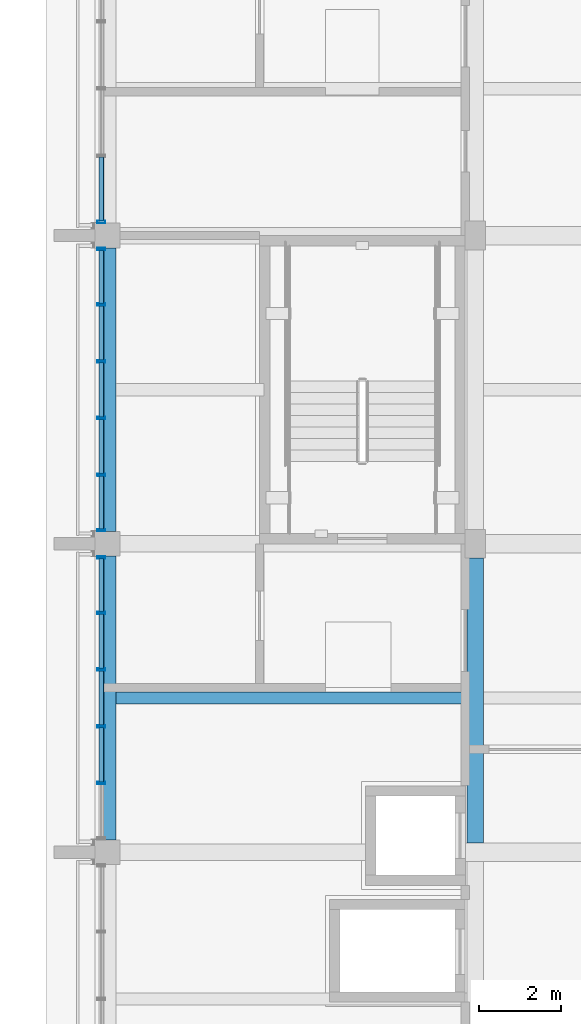
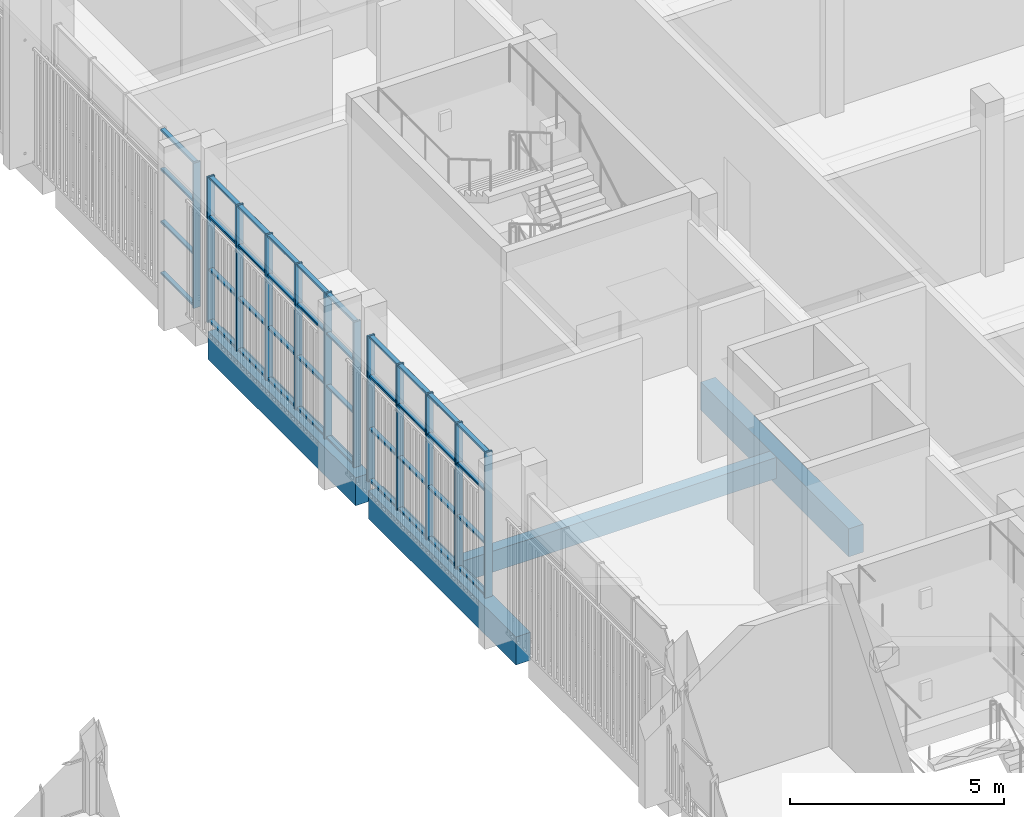
# One storey, part 43 of 125: 52 members, 4 beams, 3 elements without a shape of their own.
"""IFC4 building model written with IfcOpenShell, lengths in metres."""

from ifc_helpers import new_model, si_unit, direction, frame, origin, origin_2d, place, context, subcontext, project, spatial, rectangle, hollow_rectangle, extrude, material, material_profile, profile_set, type_object, element, aggregate, save


model = new_model("IFC4")

# Units and contexts
model_context = context("Model", 3, precision=1e-05, world=origin(), true_north=direction((0.0, 1.0)))
body_context = subcontext(model_context, "Body", "Model", "MODEL_VIEW")
ifc_project = project(units=[si_unit("LENGTHUNIT", "METRE"), si_unit("AREAUNIT", "SQUARE_METRE"), si_unit("VOLUMEUNIT", "CUBIC_METRE"), si_unit("PLANEANGLEUNIT", "RADIAN"), si_unit("MASSUNIT", "GRAM", prefix="KILO")], contexts=[model_context])

# Site, building, storey
site_placement = place(None, origin())
site = spatial("IfcSite", under=ifc_project, at=site_placement, CompositionType="ELEMENT")
building_placement = place(site_placement, origin())
building = spatial("IfcBuilding", under=site, at=building_placement, Name="Sun Court Science Centre", CompositionType="ELEMENT")
storey_placement = place(building_placement, frame((0.0, 0.0, 6.0)))
storey = spatial("IfcBuildingStorey", under=building, at=storey_placement, Name="L01", CompositionType="ELEMENT", Elevation=6.0)

# Curtain wall, members
ifc_material_1 = material(Name="Aluminium EN AW-6063 T6", Category="aluminium")
curtain_wall_type = type_object("IfcCurtainWallType", Name="Laboratory tall bay curtain wall 1500", PredefinedType="NOTDEFINED", material=ifc_material_1)
curtain_wall_1_placement = place(storey_placement, origin())
curtain_wall_1 = element("IfcCurtainWall", 1, at=curtain_wall_1_placement, inside=storey, type_object=curtain_wall_type, Name="Curtain wall V4 W L01 06", PredefinedType="NOTDEFINED")
ifc_material_2 = material(Name="Aluminium EN AW-6063 T6", Category="aluminium")
ifc_material_profile_1 = material_profile(ifc_material_2, hollow_rectangle(XDim=0.06005859375, YDim=0.199951171875, WallThickness=0.0048828125, InnerFilletRadius=0.0048828125, OuterFilletRadius=0.007568359375, at=origin_2d()), Name="AL 60x200x5")
ifc_profile_set_1 = profile_set([ifc_material_profile_1], Name="Aluminium EN AW-6063 T6")
member_type_1 = type_object("IfcMemberType", Name="Curtain wall mullion AL 60x200", PredefinedType="MULLION", material=ifc_profile_set_1)
member_1_placement = place(storey_placement, frame((78.14990234375, 52.679931640625, 0.0), z_axis=(0.0, 0.0, 1.0), x_axis=(0.0, 1.0, 0.0)))
member_1 = element("IfcMember", 2, at=member_1_placement, type_object=member_type_1, Name="CW2-15 mullion 2", PredefinedType="MULLION", context=body_context, shape_type="SweptSolid", body=[
    extrude(hollow_rectangle(XDim=0.06005859375, YDim=0.199951171875, WallThickness=0.0048828125, InnerFilletRadius=0.0048828125, OuterFilletRadius=0.007568359375, at=origin_2d()), origin(), (0.0, 0.0, 1.0), 4.14990234375),
])
member_2_placement = place(storey_placement, frame((78.14990234375, 54.06005859375, 0.0), z_axis=(0.0, 0.0, 1.0), x_axis=(0.0, 1.0, 0.0)))
member_2 = element("IfcMember", 3, at=member_2_placement, type_object=member_type_1, Name="CW2-15 mullion 3", PredefinedType="MULLION", context=body_context, shape_type="SweptSolid", body=[
    extrude(hollow_rectangle(XDim=0.06005859375, YDim=0.199951171875, WallThickness=0.0048828125, InnerFilletRadius=0.0048828125, OuterFilletRadius=0.007568359375, at=origin_2d()), origin(), (0.0, 0.0, 1.0), 4.14990234375),
])
member_3_placement = place(storey_placement, frame((78.14990234375, 55.43994140625, 0.0), z_axis=(0.0, 0.0, 1.0), x_axis=(0.0, 1.0, 0.0)))
member_3 = element("IfcMember", 4, at=member_3_placement, type_object=member_type_1, Name="CW2-15 mullion 4", PredefinedType="MULLION", context=body_context, shape_type="SweptSolid", body=[
    extrude(hollow_rectangle(XDim=0.06005859375, YDim=0.199951171875, WallThickness=0.0048828125, InnerFilletRadius=0.0048828125, OuterFilletRadius=0.007568359375, at=origin_2d()), origin(), (0.0, 0.0, 1.0), 4.14990234375),
])
member_4_placement = place(storey_placement, frame((78.14990234375, 56.820068359375, 0.0), z_axis=(0.0, 0.0, 1.0), x_axis=(0.0, 1.0, 0.0)))
member_4 = element("IfcMember", 5, at=member_4_placement, type_object=member_type_1, Name="CW2-15 mullion 5", PredefinedType="MULLION", context=body_context, shape_type="SweptSolid", body=[
    extrude(hollow_rectangle(XDim=0.06005859375, YDim=0.199951171875, WallThickness=0.0048828125, InnerFilletRadius=0.0048828125, OuterFilletRadius=0.007568359375, at=origin_2d()), origin(), (0.0, 0.0, 1.0), 4.14990234375),
])
member_5_placement = place(storey_placement, frame((78.14990234375, 58.169921875, 0.0), z_axis=(0.0, 0.0, 1.0), x_axis=(0.0, 1.0, 0.0)))
member_5 = element("IfcMember", 6, at=member_5_placement, type_object=member_type_1, Name="CW2-15 mullion 6", PredefinedType="MULLION", context=body_context, shape_type="SweptSolid", body=[
    extrude(hollow_rectangle(XDim=0.06005859375, YDim=0.199951171875, WallThickness=0.0048828125, InnerFilletRadius=0.0048828125, OuterFilletRadius=0.007568359375, at=origin_2d()), origin(), (0.0, 0.0, 1.0), 4.14990234375),
])

curtain_wall_2_placement = place(storey_placement, origin())
curtain_wall_2 = element("IfcCurtainWall", 7, at=curtain_wall_2_placement, inside=storey, type_object=curtain_wall_type, Name="Curtain wall V4 W L01 07", PredefinedType="NOTDEFINED")
member_6_placement = place(storey_placement, frame((78.14990234375, 58.830078125, 0.0), z_axis=(0.0, 0.0, 1.0), x_axis=(0.0, 1.0, 0.0)))
member_6 = element("IfcMember", 8, at=member_6_placement, type_object=member_type_1, Name="CW2-16 mullion 1", PredefinedType="MULLION", context=body_context, shape_type="SweptSolid", body=[
    extrude(hollow_rectangle(XDim=0.06005859375, YDim=0.199951171875, WallThickness=0.0048828125, InnerFilletRadius=0.0048828125, OuterFilletRadius=0.007568359375, at=origin_2d()), origin(), (0.0, 0.0, 1.0), 4.14990234375),
])
member_7_placement = place(storey_placement, frame((78.14990234375, 60.179931640625, 0.0), z_axis=(0.0, 0.0, 1.0), x_axis=(0.0, 1.0, 0.0)))
member_7 = element("IfcMember", 9, at=member_7_placement, type_object=member_type_1, Name="CW2-16 mullion 2", PredefinedType="MULLION", context=body_context, shape_type="SweptSolid", body=[
    extrude(hollow_rectangle(XDim=0.06005859375, YDim=0.199951171875, WallThickness=0.0048828125, InnerFilletRadius=0.0048828125, OuterFilletRadius=0.007568359375, at=origin_2d()), origin(), (0.0, 0.0, 1.0), 4.14990234375),
])
member_8_placement = place(storey_placement, frame((78.14990234375, 61.56005859375, 0.0), z_axis=(0.0, 0.0, 1.0), x_axis=(0.0, 1.0, 0.0)))
member_8 = element("IfcMember", 10, at=member_8_placement, type_object=member_type_1, Name="CW2-16 mullion 3", PredefinedType="MULLION", context=body_context, shape_type="SweptSolid", body=[
    extrude(hollow_rectangle(XDim=0.06005859375, YDim=0.199951171875, WallThickness=0.0048828125, InnerFilletRadius=0.0048828125, OuterFilletRadius=0.007568359375, at=origin_2d()), origin(), (0.0, 0.0, 1.0), 4.14990234375),
])
member_9_placement = place(storey_placement, frame((78.14990234375, 62.93994140625, 0.0), z_axis=(0.0, 0.0, 1.0), x_axis=(0.0, 1.0, 0.0)))
member_9 = element("IfcMember", 11, at=member_9_placement, type_object=member_type_1, Name="CW2-16 mullion 4", PredefinedType="MULLION", context=body_context, shape_type="SweptSolid", body=[
    extrude(hollow_rectangle(XDim=0.06005859375, YDim=0.199951171875, WallThickness=0.0048828125, InnerFilletRadius=0.0048828125, OuterFilletRadius=0.007568359375, at=origin_2d()), origin(), (0.0, 0.0, 1.0), 4.14990234375),
])
member_10_placement = place(storey_placement, frame((78.14990234375, 64.320068359375, 0.0), z_axis=(0.0, 0.0, 1.0), x_axis=(0.0, 1.0, 0.0)))
member_10 = element("IfcMember", 12, at=member_10_placement, type_object=member_type_1, Name="CW2-16 mullion 5", PredefinedType="MULLION", context=body_context, shape_type="SweptSolid", body=[
    extrude(hollow_rectangle(XDim=0.06005859375, YDim=0.199951171875, WallThickness=0.0048828125, InnerFilletRadius=0.0048828125, OuterFilletRadius=0.007568359375, at=origin_2d()), origin(), (0.0, 0.0, 1.0), 4.14990234375),
])
member_11_placement = place(storey_placement, frame((78.14990234375, 65.669921875, 0.0), z_axis=(0.0, 0.0, 1.0), x_axis=(0.0, 1.0, 0.0)))
member_11 = element("IfcMember", 13, at=member_11_placement, type_object=member_type_1, Name="CW2-16 mullion 6", PredefinedType="MULLION", context=body_context, shape_type="SweptSolid", body=[
    extrude(hollow_rectangle(XDim=0.06005859375, YDim=0.199951171875, WallThickness=0.0048828125, InnerFilletRadius=0.0048828125, OuterFilletRadius=0.007568359375, at=origin_2d()), origin(), (0.0, 0.0, 1.0), 4.14990234375),
])

# Curtain wall, member
curtain_wall_3_placement = place(storey_placement, origin())
curtain_wall_3 = element("IfcCurtainWall", 14, at=curtain_wall_3_placement, inside=storey, type_object=curtain_wall_type, Name="Curtain wall V4 W L01 08", PredefinedType="NOTDEFINED")
member_12_placement = place(storey_placement, frame((78.14990234375, 66.330078125, 0.0), z_axis=(0.0, 0.0, 1.0), x_axis=(0.0, 1.0, 0.0)))
member_12 = element("IfcMember", 15, at=member_12_placement, type_object=member_type_1, Name="CW2-17 mullion 1", PredefinedType="MULLION", context=body_context, shape_type="SweptSolid", body=[
    extrude(hollow_rectangle(XDim=0.06005859375, YDim=0.199951171875, WallThickness=0.0048828125, InnerFilletRadius=0.0048828125, OuterFilletRadius=0.007568359375, at=origin_2d()), origin(), (0.0, 0.0, 1.0), 4.14990234375),
])

# Member
ifc_material_3 = material(Name="Aluminium EN AW-6063 T6", Category="aluminium")
ifc_material_profile_2 = material_profile(ifc_material_3, hollow_rectangle(XDim=0.06005859375, YDim=0.1201171875, WallThickness=0.00390625, InnerFilletRadius=0.00390625, OuterFilletRadius=0.006103515625, at=origin_2d()), Name="AL 60x120x4")
ifc_profile_set_2 = profile_set([ifc_material_profile_2], Name="Aluminium EN AW-6063 T6")
member_type_2 = type_object("IfcMemberType", Name="Curtain wall transom AL 60x120", PredefinedType="USERDEFINED", material=ifc_profile_set_2)
member_13_placement = place(storey_placement, frame((78.14990234375, 52.7099609375, 0.030029296875), z_axis=(0.0, 1.0, 0.0), x_axis=(0.0, 0.0, 1.0)))
member_13 = element("IfcMember", 16, at=member_13_placement, type_object=member_type_2, Name="CW2-15 transom 2.1", ObjectType="TRANSOM", PredefinedType="USERDEFINED", context=body_context, shape_type="SweptSolid", body=[
    extrude(hollow_rectangle(XDim=0.06005859375, YDim=0.1201171875, WallThickness=0.00390625, InnerFilletRadius=0.00390625, OuterFilletRadius=0.006103515625, at=origin_2d()), origin(), (0.0, 0.0, 1.0), 1.320068359375),
])

member_14_placement = place(storey_placement, frame((78.14990234375, 54.090087890625, 0.030029296875), z_axis=(0.0, 1.0, 0.0), x_axis=(0.0, 0.0, 1.0)))
member_14 = element("IfcMember", 17, at=member_14_placement, type_object=member_type_2, Name="CW2-15 transom 3.1", ObjectType="TRANSOM", PredefinedType="USERDEFINED", context=body_context, shape_type="SweptSolid", body=[
    extrude(hollow_rectangle(XDim=0.06005859375, YDim=0.1201171875, WallThickness=0.00390625, InnerFilletRadius=0.00390625, OuterFilletRadius=0.006103515625, at=origin_2d()), origin(), (0.0, 0.0, 1.0), 1.31982421875),
])

member_15_placement = place(storey_placement, frame((78.14990234375, 55.469970703125, 0.030029296875), z_axis=(0.0, 1.0, 0.0), x_axis=(0.0, 0.0, 1.0)))
member_15 = element("IfcMember", 18, at=member_15_placement, type_object=member_type_2, Name="CW2-15 transom 4.1", ObjectType="TRANSOM", PredefinedType="USERDEFINED", context=body_context, shape_type="SweptSolid", body=[
    extrude(hollow_rectangle(XDim=0.06005859375, YDim=0.1201171875, WallThickness=0.00390625, InnerFilletRadius=0.00390625, OuterFilletRadius=0.006103515625, at=origin_2d()), origin(), (0.0, 0.0, 1.0), 1.320068359375),
])

member_16_placement = place(storey_placement, frame((78.14990234375, 56.85009765625, 0.030029296875), z_axis=(0.0, 1.0, 0.0), x_axis=(0.0, 0.0, 1.0)))
member_16 = element("IfcMember", 19, at=member_16_placement, type_object=member_type_2, Name="CW2-15 transom 5.1", ObjectType="TRANSOM", PredefinedType="USERDEFINED", context=body_context, shape_type="SweptSolid", body=[
    extrude(hollow_rectangle(XDim=0.06005859375, YDim=0.1201171875, WallThickness=0.00390625, InnerFilletRadius=0.00390625, OuterFilletRadius=0.006103515625, at=origin_2d()), origin(), (0.0, 0.0, 1.0), 1.289794921875),
])

member_17_placement = place(storey_placement, frame((78.14990234375, 52.7099609375, 1.5), z_axis=(0.0, 1.0, 0.0), x_axis=(0.0, 0.0, 1.0)))
member_17 = element("IfcMember", 20, at=member_17_placement, type_object=member_type_2, Name="CW2-15 transom 2.2", ObjectType="TRANSOM", PredefinedType="USERDEFINED", context=body_context, shape_type="SweptSolid", body=[
    extrude(hollow_rectangle(XDim=0.06005859375, YDim=0.1201171875, WallThickness=0.00390625, InnerFilletRadius=0.00390625, OuterFilletRadius=0.006103515625, at=origin_2d()), origin(), (0.0, 0.0, 1.0), 1.320068359375),
])

member_18_placement = place(storey_placement, frame((78.14990234375, 54.090087890625, 1.5), z_axis=(0.0, 1.0, 0.0), x_axis=(0.0, 0.0, 1.0)))
member_18 = element("IfcMember", 21, at=member_18_placement, type_object=member_type_2, Name="CW2-15 transom 3.2", ObjectType="TRANSOM", PredefinedType="USERDEFINED", context=body_context, shape_type="SweptSolid", body=[
    extrude(hollow_rectangle(XDim=0.06005859375, YDim=0.1201171875, WallThickness=0.00390625, InnerFilletRadius=0.00390625, OuterFilletRadius=0.006103515625, at=origin_2d()), origin(), (0.0, 0.0, 1.0), 1.31982421875),
])

member_19_placement = place(storey_placement, frame((78.14990234375, 55.469970703125, 1.5), z_axis=(0.0, 1.0, 0.0), x_axis=(0.0, 0.0, 1.0)))
member_19 = element("IfcMember", 22, at=member_19_placement, type_object=member_type_2, Name="CW2-15 transom 4.2", ObjectType="TRANSOM", PredefinedType="USERDEFINED", context=body_context, shape_type="SweptSolid", body=[
    extrude(hollow_rectangle(XDim=0.06005859375, YDim=0.1201171875, WallThickness=0.00390625, InnerFilletRadius=0.00390625, OuterFilletRadius=0.006103515625, at=origin_2d()), origin(), (0.0, 0.0, 1.0), 1.320068359375),
])

member_20_placement = place(storey_placement, frame((78.14990234375, 56.85009765625, 1.5), z_axis=(0.0, 1.0, 0.0), x_axis=(0.0, 0.0, 1.0)))
member_20 = element("IfcMember", 23, at=member_20_placement, type_object=member_type_2, Name="CW2-15 transom 5.2", ObjectType="TRANSOM", PredefinedType="USERDEFINED", context=body_context, shape_type="SweptSolid", body=[
    extrude(hollow_rectangle(XDim=0.06005859375, YDim=0.1201171875, WallThickness=0.00390625, InnerFilletRadius=0.00390625, OuterFilletRadius=0.006103515625, at=origin_2d()), origin(), (0.0, 0.0, 1.0), 1.289794921875),
])

member_21_placement = place(storey_placement, frame((78.14990234375, 52.7099609375, 3.0), z_axis=(0.0, 1.0, 0.0), x_axis=(0.0, 0.0, 1.0)))
member_21 = element("IfcMember", 24, at=member_21_placement, type_object=member_type_2, Name="CW2-15 transom 2.3", ObjectType="TRANSOM", PredefinedType="USERDEFINED", context=body_context, shape_type="SweptSolid", body=[
    extrude(hollow_rectangle(XDim=0.06005859375, YDim=0.1201171875, WallThickness=0.00390625, InnerFilletRadius=0.00390625, OuterFilletRadius=0.006103515625, at=origin_2d()), origin(), (0.0, 0.0, 1.0), 1.320068359375),
])

member_22_placement = place(storey_placement, frame((78.14990234375, 54.090087890625, 3.0), z_axis=(0.0, 1.0, 0.0), x_axis=(0.0, 0.0, 1.0)))
member_22 = element("IfcMember", 25, at=member_22_placement, type_object=member_type_2, Name="CW2-15 transom 3.3", ObjectType="TRANSOM", PredefinedType="USERDEFINED", context=body_context, shape_type="SweptSolid", body=[
    extrude(hollow_rectangle(XDim=0.06005859375, YDim=0.1201171875, WallThickness=0.00390625, InnerFilletRadius=0.00390625, OuterFilletRadius=0.006103515625, at=origin_2d()), origin(), (0.0, 0.0, 1.0), 1.31982421875),
])

member_23_placement = place(storey_placement, frame((78.14990234375, 55.469970703125, 3.0), z_axis=(0.0, 1.0, 0.0), x_axis=(0.0, 0.0, 1.0)))
member_23 = element("IfcMember", 26, at=member_23_placement, type_object=member_type_2, Name="CW2-15 transom 4.3", ObjectType="TRANSOM", PredefinedType="USERDEFINED", context=body_context, shape_type="SweptSolid", body=[
    extrude(hollow_rectangle(XDim=0.06005859375, YDim=0.1201171875, WallThickness=0.00390625, InnerFilletRadius=0.00390625, OuterFilletRadius=0.006103515625, at=origin_2d()), origin(), (0.0, 0.0, 1.0), 1.320068359375),
])

member_24_placement = place(storey_placement, frame((78.14990234375, 56.85009765625, 3.0), z_axis=(0.0, 1.0, 0.0), x_axis=(0.0, 0.0, 1.0)))
member_24 = element("IfcMember", 27, at=member_24_placement, type_object=member_type_2, Name="CW2-15 transom 5.3", ObjectType="TRANSOM", PredefinedType="USERDEFINED", context=body_context, shape_type="SweptSolid", body=[
    extrude(hollow_rectangle(XDim=0.06005859375, YDim=0.1201171875, WallThickness=0.00390625, InnerFilletRadius=0.00390625, OuterFilletRadius=0.006103515625, at=origin_2d()), origin(), (0.0, 0.0, 1.0), 1.289794921875),
])

member_25_placement = place(storey_placement, frame((78.14990234375, 52.7099609375, 4.1201171875), z_axis=(0.0, 1.0, 0.0), x_axis=(0.0, 0.0, 1.0)))
member_25 = element("IfcMember", 28, at=member_25_placement, type_object=member_type_2, Name="CW2-15 transom 2.4", ObjectType="TRANSOM", PredefinedType="USERDEFINED", context=body_context, shape_type="SweptSolid", body=[
    extrude(hollow_rectangle(XDim=0.06005859375, YDim=0.1201171875, WallThickness=0.00390625, InnerFilletRadius=0.00390625, OuterFilletRadius=0.006103515625, at=origin_2d()), origin(), (0.0, 0.0, 1.0), 1.320068359375),
])

member_26_placement = place(storey_placement, frame((78.14990234375, 54.090087890625, 4.1201171875), z_axis=(0.0, 1.0, 0.0), x_axis=(0.0, 0.0, 1.0)))
member_26 = element("IfcMember", 29, at=member_26_placement, type_object=member_type_2, Name="CW2-15 transom 3.4", ObjectType="TRANSOM", PredefinedType="USERDEFINED", context=body_context, shape_type="SweptSolid", body=[
    extrude(hollow_rectangle(XDim=0.06005859375, YDim=0.1201171875, WallThickness=0.00390625, InnerFilletRadius=0.00390625, OuterFilletRadius=0.006103515625, at=origin_2d()), origin(), (0.0, 0.0, 1.0), 1.31982421875),
])

member_27_placement = place(storey_placement, frame((78.14990234375, 55.469970703125, 4.1201171875), z_axis=(0.0, 1.0, 0.0), x_axis=(0.0, 0.0, 1.0)))
member_27 = element("IfcMember", 30, at=member_27_placement, type_object=member_type_2, Name="CW2-15 transom 4.4", ObjectType="TRANSOM", PredefinedType="USERDEFINED", context=body_context, shape_type="SweptSolid", body=[
    extrude(hollow_rectangle(XDim=0.06005859375, YDim=0.1201171875, WallThickness=0.00390625, InnerFilletRadius=0.00390625, OuterFilletRadius=0.006103515625, at=origin_2d()), origin(), (0.0, 0.0, 1.0), 1.320068359375),
])

member_28_placement = place(storey_placement, frame((78.14990234375, 56.85009765625, 4.1201171875), z_axis=(0.0, 1.0, 0.0), x_axis=(0.0, 0.0, 1.0)))
member_28 = element("IfcMember", 31, at=member_28_placement, type_object=member_type_2, Name="CW2-15 transom 5.4", ObjectType="TRANSOM", PredefinedType="USERDEFINED", context=body_context, shape_type="SweptSolid", body=[
    extrude(hollow_rectangle(XDim=0.06005859375, YDim=0.1201171875, WallThickness=0.00390625, InnerFilletRadius=0.00390625, OuterFilletRadius=0.006103515625, at=origin_2d()), origin(), (0.0, 0.0, 1.0), 1.289794921875),
])

aggregate(curtain_wall_1, [member_1, member_2, member_3, member_4, member_5, member_13, member_14, member_15, member_16, member_17, member_18, member_19, member_20, member_21, member_22, member_23, member_24, member_25, member_26, member_27, member_28])

member_29_placement = place(storey_placement, frame((78.14990234375, 58.860107421875, 0.030029296875), z_axis=(0.0, 1.0, 0.0), x_axis=(0.0, 0.0, 1.0)))
member_29 = element("IfcMember", 32, at=member_29_placement, type_object=member_type_2, Name="CW2-16 transom 1.1", ObjectType="TRANSOM", PredefinedType="USERDEFINED", context=body_context, shape_type="SweptSolid", body=[
    extrude(hollow_rectangle(XDim=0.06005859375, YDim=0.1201171875, WallThickness=0.00390625, InnerFilletRadius=0.00390625, OuterFilletRadius=0.006103515625, at=origin_2d()), origin(), (0.0, 0.0, 1.0), 1.289794921875),
])

member_30_placement = place(storey_placement, frame((78.14990234375, 60.2099609375, 0.030029296875), z_axis=(0.0, 1.0, 0.0), x_axis=(0.0, 0.0, 1.0)))
member_30 = element("IfcMember", 33, at=member_30_placement, type_object=member_type_2, Name="CW2-16 transom 2.1", ObjectType="TRANSOM", PredefinedType="USERDEFINED", context=body_context, shape_type="SweptSolid", body=[
    extrude(hollow_rectangle(XDim=0.06005859375, YDim=0.1201171875, WallThickness=0.00390625, InnerFilletRadius=0.00390625, OuterFilletRadius=0.006103515625, at=origin_2d()), origin(), (0.0, 0.0, 1.0), 1.320068359375),
])

member_31_placement = place(storey_placement, frame((78.14990234375, 61.590087890625, 0.030029296875), z_axis=(0.0, 1.0, 0.0), x_axis=(0.0, 0.0, 1.0)))
member_31 = element("IfcMember", 34, at=member_31_placement, type_object=member_type_2, Name="CW2-16 transom 3.1", ObjectType="TRANSOM", PredefinedType="USERDEFINED", context=body_context, shape_type="SweptSolid", body=[
    extrude(hollow_rectangle(XDim=0.06005859375, YDim=0.1201171875, WallThickness=0.00390625, InnerFilletRadius=0.00390625, OuterFilletRadius=0.006103515625, at=origin_2d()), origin(), (0.0, 0.0, 1.0), 1.31982421875),
])

member_32_placement = place(storey_placement, frame((78.14990234375, 62.969970703125, 0.030029296875), z_axis=(0.0, 1.0, 0.0), x_axis=(0.0, 0.0, 1.0)))
member_32 = element("IfcMember", 35, at=member_32_placement, type_object=member_type_2, Name="CW2-16 transom 4.1", ObjectType="TRANSOM", PredefinedType="USERDEFINED", context=body_context, shape_type="SweptSolid", body=[
    extrude(hollow_rectangle(XDim=0.06005859375, YDim=0.1201171875, WallThickness=0.00390625, InnerFilletRadius=0.00390625, OuterFilletRadius=0.006103515625, at=origin_2d()), origin(), (0.0, 0.0, 1.0), 1.320068359375),
])

member_33_placement = place(storey_placement, frame((78.14990234375, 64.35009765625, 0.030029296875), z_axis=(0.0, 1.0, 0.0), x_axis=(0.0, 0.0, 1.0)))
member_33 = element("IfcMember", 36, at=member_33_placement, type_object=member_type_2, Name="CW2-16 transom 5.1", ObjectType="TRANSOM", PredefinedType="USERDEFINED", context=body_context, shape_type="SweptSolid", body=[
    extrude(hollow_rectangle(XDim=0.06005859375, YDim=0.1201171875, WallThickness=0.00390625, InnerFilletRadius=0.00390625, OuterFilletRadius=0.006103515625, at=origin_2d()), origin(), (0.0, 0.0, 1.0), 1.289794921875),
])

member_34_placement = place(storey_placement, frame((78.14990234375, 58.860107421875, 1.5), z_axis=(0.0, 1.0, 0.0), x_axis=(0.0, 0.0, 1.0)))
member_34 = element("IfcMember", 37, at=member_34_placement, type_object=member_type_2, Name="CW2-16 transom 1.2", ObjectType="TRANSOM", PredefinedType="USERDEFINED", context=body_context, shape_type="SweptSolid", body=[
    extrude(hollow_rectangle(XDim=0.06005859375, YDim=0.1201171875, WallThickness=0.00390625, InnerFilletRadius=0.00390625, OuterFilletRadius=0.006103515625, at=origin_2d()), origin(), (0.0, 0.0, 1.0), 1.289794921875),
])

member_35_placement = place(storey_placement, frame((78.14990234375, 60.2099609375, 1.5), z_axis=(0.0, 1.0, 0.0), x_axis=(0.0, 0.0, 1.0)))
member_35 = element("IfcMember", 38, at=member_35_placement, type_object=member_type_2, Name="CW2-16 transom 2.2", ObjectType="TRANSOM", PredefinedType="USERDEFINED", context=body_context, shape_type="SweptSolid", body=[
    extrude(hollow_rectangle(XDim=0.06005859375, YDim=0.1201171875, WallThickness=0.00390625, InnerFilletRadius=0.00390625, OuterFilletRadius=0.006103515625, at=origin_2d()), origin(), (0.0, 0.0, 1.0), 1.320068359375),
])

member_36_placement = place(storey_placement, frame((78.14990234375, 61.590087890625, 1.5), z_axis=(0.0, 1.0, 0.0), x_axis=(0.0, 0.0, 1.0)))
member_36 = element("IfcMember", 39, at=member_36_placement, type_object=member_type_2, Name="CW2-16 transom 3.2", ObjectType="TRANSOM", PredefinedType="USERDEFINED", context=body_context, shape_type="SweptSolid", body=[
    extrude(hollow_rectangle(XDim=0.06005859375, YDim=0.1201171875, WallThickness=0.00390625, InnerFilletRadius=0.00390625, OuterFilletRadius=0.006103515625, at=origin_2d()), origin(), (0.0, 0.0, 1.0), 1.31982421875),
])

member_37_placement = place(storey_placement, frame((78.14990234375, 62.969970703125, 1.5), z_axis=(0.0, 1.0, 0.0), x_axis=(0.0, 0.0, 1.0)))
member_37 = element("IfcMember", 40, at=member_37_placement, type_object=member_type_2, Name="CW2-16 transom 4.2", ObjectType="TRANSOM", PredefinedType="USERDEFINED", context=body_context, shape_type="SweptSolid", body=[
    extrude(hollow_rectangle(XDim=0.06005859375, YDim=0.1201171875, WallThickness=0.00390625, InnerFilletRadius=0.00390625, OuterFilletRadius=0.006103515625, at=origin_2d()), origin(), (0.0, 0.0, 1.0), 1.320068359375),
])

member_38_placement = place(storey_placement, frame((78.14990234375, 64.35009765625, 1.5), z_axis=(0.0, 1.0, 0.0), x_axis=(0.0, 0.0, 1.0)))
member_38 = element("IfcMember", 41, at=member_38_placement, type_object=member_type_2, Name="CW2-16 transom 5.2", ObjectType="TRANSOM", PredefinedType="USERDEFINED", context=body_context, shape_type="SweptSolid", body=[
    extrude(hollow_rectangle(XDim=0.06005859375, YDim=0.1201171875, WallThickness=0.00390625, InnerFilletRadius=0.00390625, OuterFilletRadius=0.006103515625, at=origin_2d()), origin(), (0.0, 0.0, 1.0), 1.289794921875),
])

member_39_placement = place(storey_placement, frame((78.14990234375, 58.860107421875, 3.0), z_axis=(0.0, 1.0, 0.0), x_axis=(0.0, 0.0, 1.0)))
member_39 = element("IfcMember", 42, at=member_39_placement, type_object=member_type_2, Name="CW2-16 transom 1.3", ObjectType="TRANSOM", PredefinedType="USERDEFINED", context=body_context, shape_type="SweptSolid", body=[
    extrude(hollow_rectangle(XDim=0.06005859375, YDim=0.1201171875, WallThickness=0.00390625, InnerFilletRadius=0.00390625, OuterFilletRadius=0.006103515625, at=origin_2d()), origin(), (0.0, 0.0, 1.0), 1.289794921875),
])

member_40_placement = place(storey_placement, frame((78.14990234375, 60.2099609375, 3.0), z_axis=(0.0, 1.0, 0.0), x_axis=(0.0, 0.0, 1.0)))
member_40 = element("IfcMember", 43, at=member_40_placement, type_object=member_type_2, Name="CW2-16 transom 2.3", ObjectType="TRANSOM", PredefinedType="USERDEFINED", context=body_context, shape_type="SweptSolid", body=[
    extrude(hollow_rectangle(XDim=0.06005859375, YDim=0.1201171875, WallThickness=0.00390625, InnerFilletRadius=0.00390625, OuterFilletRadius=0.006103515625, at=origin_2d()), origin(), (0.0, 0.0, 1.0), 1.320068359375),
])

member_41_placement = place(storey_placement, frame((78.14990234375, 61.590087890625, 3.0), z_axis=(0.0, 1.0, 0.0), x_axis=(0.0, 0.0, 1.0)))
member_41 = element("IfcMember", 44, at=member_41_placement, type_object=member_type_2, Name="CW2-16 transom 3.3", ObjectType="TRANSOM", PredefinedType="USERDEFINED", context=body_context, shape_type="SweptSolid", body=[
    extrude(hollow_rectangle(XDim=0.06005859375, YDim=0.1201171875, WallThickness=0.00390625, InnerFilletRadius=0.00390625, OuterFilletRadius=0.006103515625, at=origin_2d()), origin(), (0.0, 0.0, 1.0), 1.31982421875),
])

member_42_placement = place(storey_placement, frame((78.14990234375, 62.969970703125, 3.0), z_axis=(0.0, 1.0, 0.0), x_axis=(0.0, 0.0, 1.0)))
member_42 = element("IfcMember", 45, at=member_42_placement, type_object=member_type_2, Name="CW2-16 transom 4.3", ObjectType="TRANSOM", PredefinedType="USERDEFINED", context=body_context, shape_type="SweptSolid", body=[
    extrude(hollow_rectangle(XDim=0.06005859375, YDim=0.1201171875, WallThickness=0.00390625, InnerFilletRadius=0.00390625, OuterFilletRadius=0.006103515625, at=origin_2d()), origin(), (0.0, 0.0, 1.0), 1.320068359375),
])

member_43_placement = place(storey_placement, frame((78.14990234375, 64.35009765625, 3.0), z_axis=(0.0, 1.0, 0.0), x_axis=(0.0, 0.0, 1.0)))
member_43 = element("IfcMember", 46, at=member_43_placement, type_object=member_type_2, Name="CW2-16 transom 5.3", ObjectType="TRANSOM", PredefinedType="USERDEFINED", context=body_context, shape_type="SweptSolid", body=[
    extrude(hollow_rectangle(XDim=0.06005859375, YDim=0.1201171875, WallThickness=0.00390625, InnerFilletRadius=0.00390625, OuterFilletRadius=0.006103515625, at=origin_2d()), origin(), (0.0, 0.0, 1.0), 1.289794921875),
])

member_44_placement = place(storey_placement, frame((78.14990234375, 58.860107421875, 4.1201171875), z_axis=(0.0, 1.0, 0.0), x_axis=(0.0, 0.0, 1.0)))
member_44 = element("IfcMember", 47, at=member_44_placement, type_object=member_type_2, Name="CW2-16 transom 1.4", ObjectType="TRANSOM", PredefinedType="USERDEFINED", context=body_context, shape_type="SweptSolid", body=[
    extrude(hollow_rectangle(XDim=0.06005859375, YDim=0.1201171875, WallThickness=0.00390625, InnerFilletRadius=0.00390625, OuterFilletRadius=0.006103515625, at=origin_2d()), origin(), (0.0, 0.0, 1.0), 1.289794921875),
])

member_45_placement = place(storey_placement, frame((78.14990234375, 60.2099609375, 4.1201171875), z_axis=(0.0, 1.0, 0.0), x_axis=(0.0, 0.0, 1.0)))
member_45 = element("IfcMember", 48, at=member_45_placement, type_object=member_type_2, Name="CW2-16 transom 2.4", ObjectType="TRANSOM", PredefinedType="USERDEFINED", context=body_context, shape_type="SweptSolid", body=[
    extrude(hollow_rectangle(XDim=0.06005859375, YDim=0.1201171875, WallThickness=0.00390625, InnerFilletRadius=0.00390625, OuterFilletRadius=0.006103515625, at=origin_2d()), origin(), (0.0, 0.0, 1.0), 1.320068359375),
])

member_46_placement = place(storey_placement, frame((78.14990234375, 61.590087890625, 4.1201171875), z_axis=(0.0, 1.0, 0.0), x_axis=(0.0, 0.0, 1.0)))
member_46 = element("IfcMember", 49, at=member_46_placement, type_object=member_type_2, Name="CW2-16 transom 3.4", ObjectType="TRANSOM", PredefinedType="USERDEFINED", context=body_context, shape_type="SweptSolid", body=[
    extrude(hollow_rectangle(XDim=0.06005859375, YDim=0.1201171875, WallThickness=0.00390625, InnerFilletRadius=0.00390625, OuterFilletRadius=0.006103515625, at=origin_2d()), origin(), (0.0, 0.0, 1.0), 1.31982421875),
])

member_47_placement = place(storey_placement, frame((78.14990234375, 62.969970703125, 4.1201171875), z_axis=(0.0, 1.0, 0.0), x_axis=(0.0, 0.0, 1.0)))
member_47 = element("IfcMember", 50, at=member_47_placement, type_object=member_type_2, Name="CW2-16 transom 4.4", ObjectType="TRANSOM", PredefinedType="USERDEFINED", context=body_context, shape_type="SweptSolid", body=[
    extrude(hollow_rectangle(XDim=0.06005859375, YDim=0.1201171875, WallThickness=0.00390625, InnerFilletRadius=0.00390625, OuterFilletRadius=0.006103515625, at=origin_2d()), origin(), (0.0, 0.0, 1.0), 1.320068359375),
])

member_48_placement = place(storey_placement, frame((78.14990234375, 64.35009765625, 4.1201171875), z_axis=(0.0, 1.0, 0.0), x_axis=(0.0, 0.0, 1.0)))
member_48 = element("IfcMember", 51, at=member_48_placement, type_object=member_type_2, Name="CW2-16 transom 5.4", ObjectType="TRANSOM", PredefinedType="USERDEFINED", context=body_context, shape_type="SweptSolid", body=[
    extrude(hollow_rectangle(XDim=0.06005859375, YDim=0.1201171875, WallThickness=0.00390625, InnerFilletRadius=0.00390625, OuterFilletRadius=0.006103515625, at=origin_2d()), origin(), (0.0, 0.0, 1.0), 1.289794921875),
])

aggregate(curtain_wall_2, [member_6, member_7, member_8, member_9, member_10, member_11, member_29, member_30, member_31, member_32, member_33, member_34, member_35, member_36, member_37, member_38, member_39, member_40, member_41, member_42, member_43, member_44, member_45, member_46, member_47, member_48])

member_49_placement = place(storey_placement, frame((78.14990234375, 66.360107421875, 0.030029296875), z_axis=(0.0, 1.0, 0.0), x_axis=(0.0, 0.0, 1.0)))
member_49 = element("IfcMember", 52, at=member_49_placement, type_object=member_type_2, Name="CW2-17 transom 1.1", ObjectType="TRANSOM", PredefinedType="USERDEFINED", context=body_context, shape_type="SweptSolid", body=[
    extrude(hollow_rectangle(XDim=0.06005859375, YDim=0.1201171875, WallThickness=0.00390625, InnerFilletRadius=0.00390625, OuterFilletRadius=0.006103515625, at=origin_2d()), origin(), (0.0, 0.0, 1.0), 1.54736328125),
])

member_50_placement = place(storey_placement, frame((78.14990234375, 66.360107421875, 1.5), z_axis=(0.0, 1.0, 0.0), x_axis=(0.0, 0.0, 1.0)))
member_50 = element("IfcMember", 53, at=member_50_placement, type_object=member_type_2, Name="CW2-17 transom 1.2", ObjectType="TRANSOM", PredefinedType="USERDEFINED", context=body_context, shape_type="SweptSolid", body=[
    extrude(hollow_rectangle(XDim=0.06005859375, YDim=0.1201171875, WallThickness=0.00390625, InnerFilletRadius=0.00390625, OuterFilletRadius=0.006103515625, at=origin_2d()), origin(), (0.0, 0.0, 1.0), 1.54736328125),
])

member_51_placement = place(storey_placement, frame((78.14990234375, 66.360107421875, 3.0), z_axis=(0.0, 1.0, 0.0), x_axis=(0.0, 0.0, 1.0)))
member_51 = element("IfcMember", 54, at=member_51_placement, type_object=member_type_2, Name="CW2-17 transom 1.3", ObjectType="TRANSOM", PredefinedType="USERDEFINED", context=body_context, shape_type="SweptSolid", body=[
    extrude(hollow_rectangle(XDim=0.06005859375, YDim=0.1201171875, WallThickness=0.00390625, InnerFilletRadius=0.00390625, OuterFilletRadius=0.006103515625, at=origin_2d()), origin(), (0.0, 0.0, 1.0), 1.54736328125),
])

member_52_placement = place(storey_placement, frame((78.14990234375, 66.360107421875, 4.1201171875), z_axis=(0.0, 1.0, 0.0), x_axis=(0.0, 0.0, 1.0)))
member_52 = element("IfcMember", 55, at=member_52_placement, type_object=member_type_2, Name="CW2-17 transom 1.4", ObjectType="TRANSOM", PredefinedType="USERDEFINED", context=body_context, shape_type="SweptSolid", body=[
    extrude(hollow_rectangle(XDim=0.06005859375, YDim=0.1201171875, WallThickness=0.00390625, InnerFilletRadius=0.00390625, OuterFilletRadius=0.006103515625, at=origin_2d()), origin(), (0.0, 0.0, 1.0), 1.54736328125),
])

aggregate(curtain_wall_3, [member_12, member_49, member_50, member_51, member_52])

# Beams
ifc_material_4 = material(Name="Concrete C25/30", Category="concrete")
ifc_material_profile_3 = material_profile(ifc_material_4, rectangle(XDim=0.39990234375, YDim=0.800048828125, at=origin_2d()), Name="RC 400x800")
ifc_profile_set_3 = profile_set([ifc_material_profile_3], Name="Concrete C25/30")
beam_type_1 = type_object("IfcBeamType", Name="RC girder 400x800", PredefinedType="BEAM", material=ifc_profile_set_3)
for number, where, z_axis, x_axis, name in (
    (56, (78.300048828125, 51.300048828125, -0.699951171875), (0.0, 1.0, 0.0), (-1.0, 0.0, 0.0), "Girder L01 line 1"),
    (57, (78.300048828125, 58.800048828125, -0.699951171875), (0.0, 1.0, 0.0), (-1.0, 0.0, 0.0), "Girder L01 line 1"),
):
    element("IfcBeam", number, at=place(storey_placement, frame(where, z_axis=z_axis, x_axis=x_axis)), inside=storey, type_object=beam_type_1, Name=name, PredefinedType="BEAM", context=body_context, shape_type="SweptSolid", body=[
        extrude(rectangle(XDim=0.39990234375, YDim=0.800048828125, at=origin_2d()), origin(), (0.0, 0.0, 1.0), 6.89990234375),
    ])
beam_1_placement = place(storey_placement, frame((87.25, 51.22509765625, -0.699951171875), z_axis=(0.0, 1.0, 0.0), x_axis=(-1.0, 0.0, 0.0)))
element("IfcBeam", 58, at=beam_1_placement, inside=storey, type_object=beam_type_1, Name="Girder L01 line 2", PredefinedType="BEAM", context=body_context, shape_type="SweptSolid", body=[
    extrude(rectangle(XDim=0.39990234375, YDim=0.800048828125, at=origin_2d()), origin(), (0.0, 0.0, 1.0), 6.9248046875),
])
ifc_material_5 = material(Name="Concrete C25/30", Category="concrete")
ifc_material_profile_4 = material_profile(ifc_material_5, rectangle(XDim=0.300048828125, YDim=0.60009765625, at=origin_2d()), Name="RC 300x600")
ifc_profile_set_4 = profile_set([ifc_material_profile_4], Name="Concrete C25/30")
beam_type_2 = type_object("IfcBeamType", Name="RC joist 300x600", PredefinedType="JOIST", material=ifc_profile_set_4)
beam_2_placement = place(storey_placement, frame((78.5, 54.75, -0.60009765625), z_axis=(1.0, 0.0, 0.0), x_axis=(0.0, 1.0, 0.0)))
element("IfcBeam", 59, at=beam_2_placement, inside=storey, type_object=beam_type_2, Name="Joist L01", PredefinedType="JOIST", context=body_context, shape_type="SweptSolid", body=[
    extrude(rectangle(XDim=0.300048828125, YDim=0.60009765625, at=origin_2d()), origin(), (0.0, 0.0, 1.0), 8.550048828125),
])

save(model, "model.ifc")
